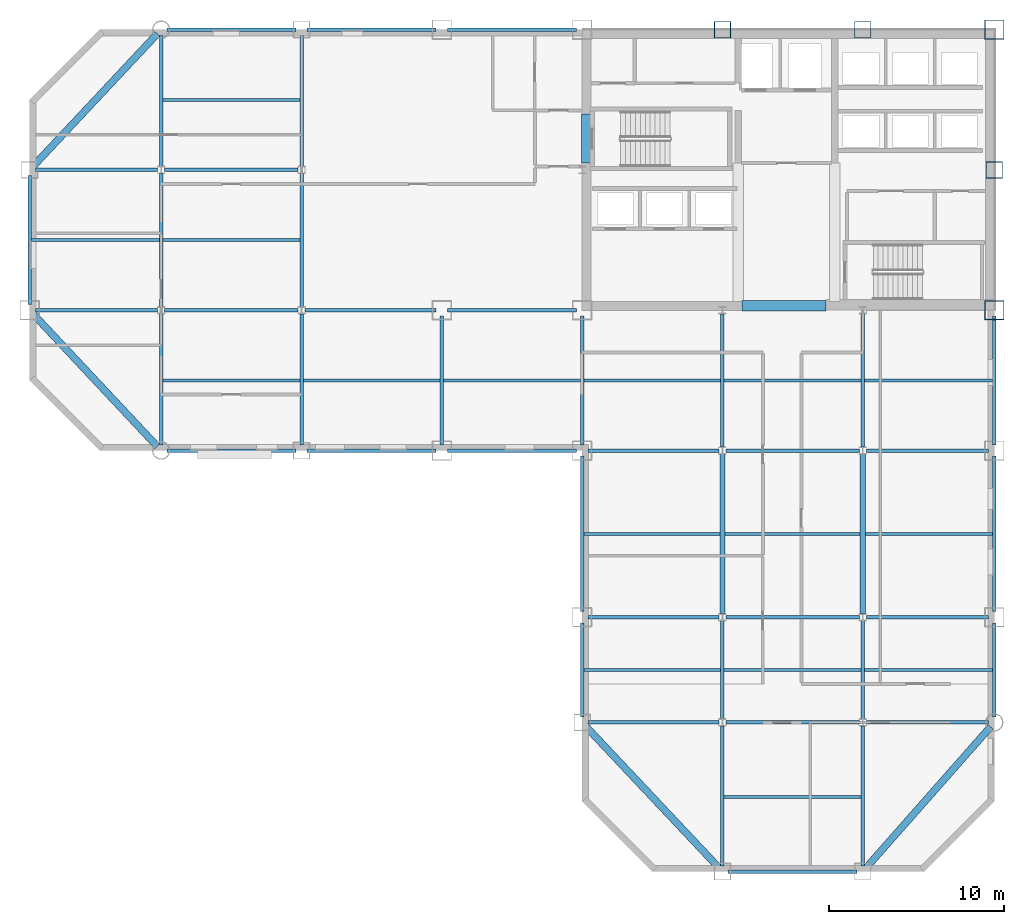
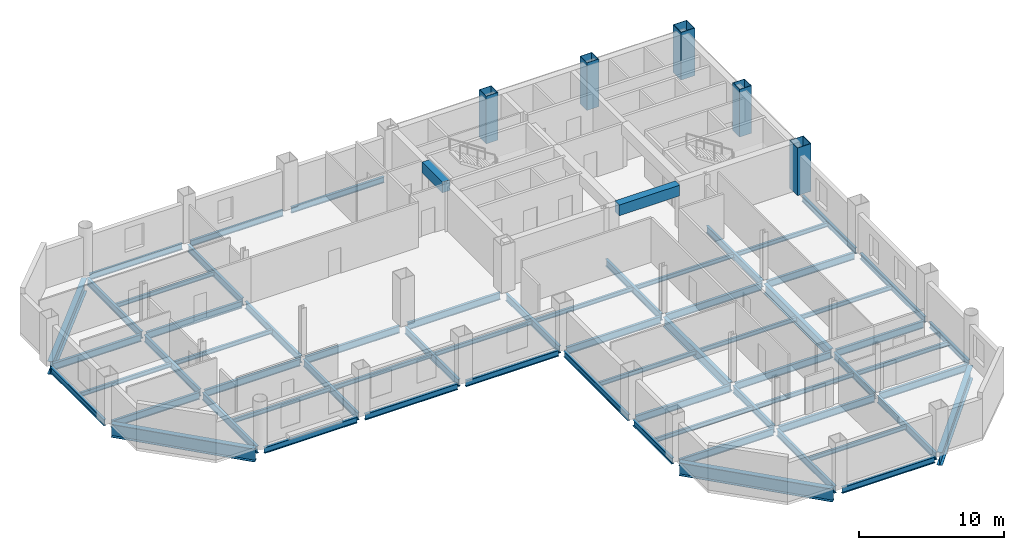
# One storey, part 4 of 9: 66 beams, 5 columns.
"""IFC4 building model written with IfcOpenShell, lengths in metres."""

from ifc_helpers import new_model, si_unit, direction, frame, origin, origin_2d, place, context, subcontext, project, spatial, rectangle, hollow_rectangle, i_section, extrude, material, material_profile, profile_set, type_object, element, save


model = new_model("IFC4")

# Units and contexts
model_context = context("Model", 3, precision=1e-05, world=origin(), true_north=direction((0.0, 1.0)))
body_context = subcontext(model_context, "Body", "Model", "MODEL_VIEW")
ifc_project = project(units=[si_unit("LENGTHUNIT", "METRE"), si_unit("AREAUNIT", "SQUARE_METRE"), si_unit("VOLUMEUNIT", "CUBIC_METRE"), si_unit("PLANEANGLEUNIT", "RADIAN"), si_unit("MASSUNIT", "GRAM", prefix="KILO")], contexts=[model_context])

# Site, building, storey
site_placement = place(None, origin())
site = spatial("IfcSite", under=ifc_project, at=site_placement, CompositionType="ELEMENT")
building_placement = place(site_placement, origin())
building = spatial("IfcBuilding", under=site, at=building_placement, Name="Qianrong Seaharbour Tower", CompositionType="ELEMENT")
storey_placement = place(building_placement, frame((0.0, 0.0, 163.0)))
storey = spatial("IfcBuildingStorey", under=building, at=storey_placement, Name="L39", CompositionType="ELEMENT", Elevation=163.0)

# Columns
ifc_material_1 = material(Name="Structural steel SN490B", Category="steel")
ifc_material_profile_1 = material_profile(ifc_material_1, hollow_rectangle(XDim=1.10009765625, YDim=1.10009765625, WallThickness=0.0400390625, at=origin_2d()), Name="BOX1100x1100x40")
ifc_profile_set_1 = profile_set([ifc_material_profile_1], Name="Structural steel SN490B")
column_type_1 = type_object("IfcColumnType", Name="COL-CFT-1100", PredefinedType="COLUMN", material=ifc_profile_set_1)
for number, where, z_axis, x_axis, name in (
    (1, (64.0, 36.0, 0.0), (0.0, 0.0, 1.0), (1.0, 0.0, 0.0), "L39 Column MC-3 at G9/GF"),
    (2, (64.0, 52.0, 0.0), (0.0, 0.0, 1.0), (1.0, 0.0, 0.0), "L39 Column MC-3 at G9/GH"),
):
    element("IfcColumn", number, at=place(storey_placement, frame(where, z_axis=z_axis, x_axis=x_axis)), inside=storey, type_object=column_type_1, Name=name, PredefinedType="COLUMN", context=body_context, shape_type="SweptSolid", body=[
        extrude(hollow_rectangle(XDim=1.10009765625, YDim=1.10009765625, WallThickness=0.0400390625, at=origin_2d()), origin(), (0.0, 0.0, 1.0), 4.0),
    ])
ifc_material_profile_2 = material_profile(ifc_material_1, hollow_rectangle(XDim=0.949951171875, YDim=0.949951171875, WallThickness=0.035888671875, at=origin_2d()), Name="BOX950x950x36")
ifc_profile_set_2 = profile_set([ifc_material_profile_2], Name="Structural steel SN490B")
column_type_2 = type_object("IfcColumnType", Name="COL-PER-950", PredefinedType="COLUMN", material=ifc_profile_set_2)
for number, where, z_axis, x_axis, name in (
    (3, (48.5, 52.0, 0.0), (0.0, 0.0, 1.0), (1.0, 0.0, 0.0), "L39 Column PC-2 at G7/GH"),
    (4, (56.5, 52.0, 0.0), (0.0, 0.0, 1.0), (1.0, 0.0, 0.0), "L39 Column PC-2 at G8/GH"),
    (5, (64.0, 44.0, 0.0), (0.0, 0.0, 1.0), (1.0, 0.0, 0.0), "L39 Column PC-2 at G9/GG"),
):
    element("IfcColumn", number, at=place(storey_placement, frame(where, z_axis=z_axis, x_axis=x_axis)), inside=storey, type_object=column_type_2, Name=name, PredefinedType="COLUMN", context=body_context, shape_type="SweptSolid", body=[
        extrude(hollow_rectangle(XDim=0.949951171875, YDim=0.949951171875, WallThickness=0.035888671875, at=origin_2d()), origin(), (0.0, 0.0, 1.0), 4.0),
    ])

# Beams
ifc_material_profile_3 = material_profile(ifc_material_1, i_section(OverallWidth=0.199951171875, OverallDepth=0.60009765625, WebThickness=0.010986328125, FlangeThickness=0.01708984375, FilletRadius=0.02197265625, at=origin_2d()), Name="H600x200x11x17")
ifc_profile_set_3 = profile_set([ifc_material_profile_3], Name="Structural steel SN490B")
beam_type_1 = type_object("IfcBeamType", Name="BM-G-600", PredefinedType="BEAM", material=ifc_profile_set_3)
beam_1_placement = place(storey_placement, frame((40.820068359375, 12.5, -0.534912109375), z_axis=(1.0, 0.0, 0.0), x_axis=(0.0, 1.0, 0.0)))
element("IfcBeam", 6, at=beam_1_placement, inside=storey, type_object=beam_type_1, Name="L39 Primary Girder GC G6-G7", PredefinedType="BEAM", context=body_context, shape_type="SweptSolid", body=[
    extrude(i_section(OverallWidth=0.199951171875, OverallDepth=0.60009765625, WebThickness=0.010986328125, FlangeThickness=0.01708984375, FilletRadius=0.02197265625, at=origin_2d()), origin(), (0.0, 0.0, 1.0), 7.47998046875),
])
beam_2_placement = place(storey_placement, frame((48.699951171875, 12.5, -0.534912109375), z_axis=(1.0, 0.0, 0.0), x_axis=(0.0, 1.0, 0.0)))
element("IfcBeam", 7, at=beam_2_placement, inside=storey, type_object=beam_type_1, Name="L39 Primary Girder GC G7-G8", PredefinedType="BEAM", context=body_context, shape_type="SweptSolid", body=[
    extrude(i_section(OverallWidth=0.199951171875, OverallDepth=0.60009765625, WebThickness=0.010986328125, FlangeThickness=0.01708984375, FilletRadius=0.02197265625, at=origin_2d()), origin(), (0.0, 0.0, 1.0), 7.60009765625),
])
beam_3_placement = place(storey_placement, frame((56.699951171875, 12.5, -0.534912109375), z_axis=(1.0, 0.0, 0.0), x_axis=(0.0, 1.0, 0.0)))
element("IfcBeam", 8, at=beam_3_placement, inside=storey, type_object=beam_type_1, Name="L39 Primary Girder GC G8-G9", PredefinedType="BEAM", context=body_context, shape_type="SweptSolid", body=[
    extrude(i_section(OverallWidth=0.199951171875, OverallDepth=0.60009765625, WebThickness=0.010986328125, FlangeThickness=0.01708984375, FilletRadius=0.02197265625, at=origin_2d()), origin(), (0.0, 0.0, 1.0), 6.97998046875),
])
beam_4_placement = place(storey_placement, frame((40.820068359375, 18.5, -0.534912109375), z_axis=(1.0, 0.0, 0.0), x_axis=(0.0, 1.0, 0.0)))
element("IfcBeam", 9, at=beam_4_placement, inside=storey, type_object=beam_type_1, Name="L39 Primary Girder GD G6-G7", PredefinedType="BEAM", context=body_context, shape_type="SweptSolid", body=[
    extrude(i_section(OverallWidth=0.199951171875, OverallDepth=0.60009765625, WebThickness=0.010986328125, FlangeThickness=0.01708984375, FilletRadius=0.02197265625, at=origin_2d()), origin(), (0.0, 0.0, 1.0), 7.47998046875),
])
beam_5_placement = place(storey_placement, frame((48.699951171875, 18.5, -0.534912109375), z_axis=(1.0, 0.0, 0.0), x_axis=(0.0, 1.0, 0.0)))
element("IfcBeam", 10, at=beam_5_placement, inside=storey, type_object=beam_type_1, Name="L39 Primary Girder GD G7-G8", PredefinedType="BEAM", context=body_context, shape_type="SweptSolid", body=[
    extrude(i_section(OverallWidth=0.199951171875, OverallDepth=0.60009765625, WebThickness=0.010986328125, FlangeThickness=0.01708984375, FilletRadius=0.02197265625, at=origin_2d()), origin(), (0.0, 0.0, 1.0), 7.60009765625),
])
beam_6_placement = place(storey_placement, frame((56.699951171875, 18.5, -0.534912109375), z_axis=(1.0, 0.0, 0.0), x_axis=(0.0, 1.0, 0.0)))
element("IfcBeam", 11, at=beam_6_placement, inside=storey, type_object=beam_type_1, Name="L39 Primary Girder GD G8-G9", PredefinedType="BEAM", context=body_context, shape_type="SweptSolid", body=[
    extrude(i_section(OverallWidth=0.199951171875, OverallDepth=0.60009765625, WebThickness=0.010986328125, FlangeThickness=0.01708984375, FilletRadius=0.02197265625, at=origin_2d()), origin(), (0.0, 0.0, 1.0), 6.97998046875),
])
beam_7_placement = place(storey_placement, frame((40.820068359375, 28.0, -0.534912109375), z_axis=(1.0, 0.0, 0.0), x_axis=(0.0, 1.0, 0.0)))
element("IfcBeam", 12, at=beam_7_placement, inside=storey, type_object=beam_type_1, Name="L39 Primary Girder GE G6-G7", PredefinedType="BEAM", context=body_context, shape_type="SweptSolid", body=[
    extrude(i_section(OverallWidth=0.199951171875, OverallDepth=0.60009765625, WebThickness=0.010986328125, FlangeThickness=0.01708984375, FilletRadius=0.02197265625, at=origin_2d()), origin(), (0.0, 0.0, 1.0), 7.47998046875),
])
beam_8_placement = place(storey_placement, frame((48.699951171875, 28.0, -0.534912109375), z_axis=(1.0, 0.0, 0.0), x_axis=(0.0, 1.0, 0.0)))
element("IfcBeam", 13, at=beam_8_placement, inside=storey, type_object=beam_type_1, Name="L39 Primary Girder GE G7-G8", PredefinedType="BEAM", context=body_context, shape_type="SweptSolid", body=[
    extrude(i_section(OverallWidth=0.199951171875, OverallDepth=0.60009765625, WebThickness=0.010986328125, FlangeThickness=0.01708984375, FilletRadius=0.02197265625, at=origin_2d()), origin(), (0.0, 0.0, 1.0), 7.60009765625),
])
for number, where, z_axis, x_axis, name in (
    (14, (56.699951171875, 28.0, -0.534912109375), (1.0, 0.0, 0.0), (0.0, 1.0, 0.0), "L39 Primary Girder GE G8-G9"),
    (15, (9.320068359375, 36.0, -0.534912109375), (1.0, 0.0, 0.0), (0.0, 1.0, 0.0), "L39 Primary Girder GF G2-G3"),
):
    element("IfcBeam", number, at=place(storey_placement, frame(where, z_axis=z_axis, x_axis=x_axis)), inside=storey, type_object=beam_type_1, Name=name, PredefinedType="BEAM", context=body_context, shape_type="SweptSolid", body=[
        extrude(i_section(OverallWidth=0.199951171875, OverallDepth=0.60009765625, WebThickness=0.010986328125, FlangeThickness=0.01708984375, FilletRadius=0.02197265625, at=origin_2d()), origin(), (0.0, 0.0, 1.0), 6.97998046875),
    ])
beam_9_placement = place(storey_placement, frame((16.699951171875, 36.0, -0.534912109375), z_axis=(1.0, 0.0, 0.0), x_axis=(0.0, 1.0, 0.0)))
element("IfcBeam", 16, at=beam_9_placement, inside=storey, type_object=beam_type_1, Name="L39 Primary Girder GF G3-G4", PredefinedType="BEAM", context=body_context, shape_type="SweptSolid", body=[
    extrude(i_section(OverallWidth=0.199951171875, OverallDepth=0.60009765625, WebThickness=0.010986328125, FlangeThickness=0.01708984375, FilletRadius=0.02197265625, at=origin_2d()), origin(), (0.0, 0.0, 1.0), 7.60009765625),
])
beam_10_placement = place(storey_placement, frame((24.699951171875, 36.0, -0.534912109375), z_axis=(1.0, 0.0, 0.0), x_axis=(0.0, 1.0, 0.0)))
element("IfcBeam", 17, at=beam_10_placement, inside=storey, type_object=beam_type_1, Name="L39 Primary Girder GF G4-G5", PredefinedType="BEAM", context=body_context, shape_type="SweptSolid", body=[
    extrude(i_section(OverallWidth=0.199951171875, OverallDepth=0.60009765625, WebThickness=0.010986328125, FlangeThickness=0.01708984375, FilletRadius=0.02197265625, at=origin_2d()), origin(), (0.0, 0.0, 1.0), 7.47998046875),
])
beam_11_placement = place(storey_placement, frame((32.820068359375, 36.0, -0.534912109375), z_axis=(1.0, 0.0, 0.0), x_axis=(0.0, 1.0, 0.0)))
element("IfcBeam", 18, at=beam_11_placement, inside=storey, type_object=beam_type_1, Name="L39 Primary Girder GF G5-G6", PredefinedType="BEAM", context=body_context, shape_type="SweptSolid", body=[
    extrude(i_section(OverallWidth=0.199951171875, OverallDepth=0.60009765625, WebThickness=0.010986328125, FlangeThickness=0.01708984375, FilletRadius=0.02197265625, at=origin_2d()), origin(), (0.0, 0.0, 1.0), 7.35986328125),
])
beam_12_placement = place(storey_placement, frame((9.320068359375, 44.0, -0.534912109375), z_axis=(1.0, 0.0, 0.0), x_axis=(0.0, 1.0, 0.0)))
element("IfcBeam", 19, at=beam_12_placement, inside=storey, type_object=beam_type_1, Name="L39 Primary Girder GG G2-G3", PredefinedType="BEAM", context=body_context, shape_type="SweptSolid", body=[
    extrude(i_section(OverallWidth=0.199951171875, OverallDepth=0.60009765625, WebThickness=0.010986328125, FlangeThickness=0.01708984375, FilletRadius=0.02197265625, at=origin_2d()), origin(), (0.0, 0.0, 1.0), 6.97998046875),
])
beam_13_placement = place(storey_placement, frame((16.699951171875, 44.0, -0.534912109375), z_axis=(1.0, 0.0, 0.0), x_axis=(0.0, 1.0, 0.0)))
element("IfcBeam", 20, at=beam_13_placement, inside=storey, type_object=beam_type_1, Name="L39 Primary Girder GG G3-G4", PredefinedType="BEAM", context=body_context, shape_type="SweptSolid", body=[
    extrude(i_section(OverallWidth=0.199951171875, OverallDepth=0.60009765625, WebThickness=0.010986328125, FlangeThickness=0.01708984375, FilletRadius=0.02197265625, at=origin_2d()), origin(), (0.0, 0.0, 1.0), 7.60009765625),
])
beam_14_placement = place(storey_placement, frame((16.5, 28.320068359375, -0.534912109375), z_axis=(0.0, 1.0, 0.0), x_axis=(-1.0, 0.0, 0.0)))
element("IfcBeam", 21, at=beam_14_placement, inside=storey, type_object=beam_type_1, Name="L39 Primary Girder G3 GE-GF", PredefinedType="BEAM", context=body_context, shape_type="SweptSolid", body=[
    extrude(i_section(OverallWidth=0.199951171875, OverallDepth=0.60009765625, WebThickness=0.010986328125, FlangeThickness=0.01708984375, FilletRadius=0.02197265625, at=origin_2d()), origin(), (0.0, 0.0, 1.0), 7.47998046875),
])
beam_15_placement = place(storey_placement, frame((16.5, 36.199951171875, -0.534912109375), z_axis=(0.0, 1.0, 0.0), x_axis=(-1.0, 0.0, 0.0)))
element("IfcBeam", 22, at=beam_15_placement, inside=storey, type_object=beam_type_1, Name="L39 Primary Girder G3 GF-GG", PredefinedType="BEAM", context=body_context, shape_type="SweptSolid", body=[
    extrude(i_section(OverallWidth=0.199951171875, OverallDepth=0.60009765625, WebThickness=0.010986328125, FlangeThickness=0.01708984375, FilletRadius=0.02197265625, at=origin_2d()), origin(), (0.0, 0.0, 1.0), 7.60009765625),
])
for number, where, z_axis, x_axis, name in (
    (23, (16.5, 44.199951171875, -0.534912109375), (0.0, 1.0, 0.0), (-1.0, 0.0, 0.0), "L39 Primary Girder G3 GG-GH"),
    (24, (24.5, 28.320068359375, -0.534912109375), (0.0, 1.0, 0.0), (-1.0, 0.0, 0.0), "L39 Primary Girder G4 GE-GF"),
):
    element("IfcBeam", number, at=place(storey_placement, frame(where, z_axis=z_axis, x_axis=x_axis)), inside=storey, type_object=beam_type_1, Name=name, PredefinedType="BEAM", context=body_context, shape_type="SweptSolid", body=[
        extrude(i_section(OverallWidth=0.199951171875, OverallDepth=0.60009765625, WebThickness=0.010986328125, FlangeThickness=0.01708984375, FilletRadius=0.02197265625, at=origin_2d()), origin(), (0.0, 0.0, 1.0), 7.47998046875),
    ])
beam_16_placement = place(storey_placement, frame((24.5, 36.199951171875, -0.534912109375), z_axis=(0.0, 1.0, 0.0), x_axis=(-1.0, 0.0, 0.0)))
element("IfcBeam", 25, at=beam_16_placement, inside=storey, type_object=beam_type_1, Name="L39 Primary Girder G4 GF-GG", PredefinedType="BEAM", context=body_context, shape_type="SweptSolid", body=[
    extrude(i_section(OverallWidth=0.199951171875, OverallDepth=0.60009765625, WebThickness=0.010986328125, FlangeThickness=0.01708984375, FilletRadius=0.02197265625, at=origin_2d()), origin(), (0.0, 0.0, 1.0), 7.60009765625),
])
beam_17_placement = place(storey_placement, frame((24.5, 44.199951171875, -0.534912109375), z_axis=(0.0, 1.0, 0.0), x_axis=(-1.0, 0.0, 0.0)))
element("IfcBeam", 26, at=beam_17_placement, inside=storey, type_object=beam_type_1, Name="L39 Primary Girder G4 GG-GH", PredefinedType="BEAM", context=body_context, shape_type="SweptSolid", body=[
    extrude(i_section(OverallWidth=0.199951171875, OverallDepth=0.60009765625, WebThickness=0.010986328125, FlangeThickness=0.01708984375, FilletRadius=0.02197265625, at=origin_2d()), origin(), (0.0, 0.0, 1.0), 7.47998046875),
])
for number, where, z_axis, x_axis, name in (
    (27, (32.5, 28.320068359375, -0.534912109375), (0.0, 1.0, 0.0), (-1.0, 0.0, 0.0), "L39 Primary Girder G5 GE-GF"),
    (28, (40.5, 28.320068359375, -0.534912109375), (0.0, 1.0, 0.0), (-1.0, 0.0, 0.0), "L39 Primary Girder G6 GE-GF"),
):
    element("IfcBeam", number, at=place(storey_placement, frame(where, z_axis=z_axis, x_axis=x_axis)), inside=storey, type_object=beam_type_1, Name=name, PredefinedType="BEAM", context=body_context, shape_type="SweptSolid", body=[
        extrude(i_section(OverallWidth=0.199951171875, OverallDepth=0.60009765625, WebThickness=0.010986328125, FlangeThickness=0.01708984375, FilletRadius=0.02197265625, at=origin_2d()), origin(), (0.0, 0.0, 1.0), 7.35986328125),
    ])
beam_18_placement = place(storey_placement, frame((48.5, 4.320068359375, -0.534912109375), z_axis=(0.0, 1.0, 0.0), x_axis=(-1.0, 0.0, 0.0)))
element("IfcBeam", 29, at=beam_18_placement, inside=storey, type_object=beam_type_1, Name="L39 Primary Girder G7 GB-GC", PredefinedType="BEAM", context=body_context, shape_type="SweptSolid", body=[
    extrude(i_section(OverallWidth=0.199951171875, OverallDepth=0.60009765625, WebThickness=0.010986328125, FlangeThickness=0.01708984375, FilletRadius=0.02197265625, at=origin_2d()), origin(), (0.0, 0.0, 1.0), 7.97998046875),
])
beam_19_placement = place(storey_placement, frame((48.5, 12.699951171875, -0.534912109375), z_axis=(0.0, 1.0, 0.0), x_axis=(-1.0, 0.0, 0.0)))
element("IfcBeam", 30, at=beam_19_placement, inside=storey, type_object=beam_type_1, Name="L39 Primary Girder G7 GC-GD", PredefinedType="BEAM", context=body_context, shape_type="SweptSolid", body=[
    extrude(i_section(OverallWidth=0.199951171875, OverallDepth=0.60009765625, WebThickness=0.010986328125, FlangeThickness=0.01708984375, FilletRadius=0.02197265625, at=origin_2d()), origin(), (0.0, 0.0, 1.0), 5.60009765625),
])
beam_20_placement = place(storey_placement, frame((48.5, 28.199951171875, -0.534912109375), z_axis=(0.0, 1.0, 0.0), x_axis=(-1.0, 0.0, 0.0)))
element("IfcBeam", 31, at=beam_20_placement, inside=storey, type_object=beam_type_1, Name="L39 Primary Girder G7 GE-GF", PredefinedType="BEAM", context=body_context, shape_type="SweptSolid", body=[
    extrude(i_section(OverallWidth=0.199951171875, OverallDepth=0.60009765625, WebThickness=0.010986328125, FlangeThickness=0.01708984375, FilletRadius=0.02197265625, at=origin_2d()), origin(), (0.0, 0.0, 1.0), 7.60009765625),
])
beam_21_placement = place(storey_placement, frame((56.5, 4.320068359375, -0.534912109375), z_axis=(0.0, 1.0, 0.0), x_axis=(-1.0, 0.0, 0.0)))
element("IfcBeam", 32, at=beam_21_placement, inside=storey, type_object=beam_type_1, Name="L39 Primary Girder G8 GB-GC", PredefinedType="BEAM", context=body_context, shape_type="SweptSolid", body=[
    extrude(i_section(OverallWidth=0.199951171875, OverallDepth=0.60009765625, WebThickness=0.010986328125, FlangeThickness=0.01708984375, FilletRadius=0.02197265625, at=origin_2d()), origin(), (0.0, 0.0, 1.0), 7.97998046875),
])
beam_22_placement = place(storey_placement, frame((56.5, 12.699951171875, -0.534912109375), z_axis=(0.0, 1.0, 0.0), x_axis=(-1.0, 0.0, 0.0)))
element("IfcBeam", 33, at=beam_22_placement, inside=storey, type_object=beam_type_1, Name="L39 Primary Girder G8 GC-GD", PredefinedType="BEAM", context=body_context, shape_type="SweptSolid", body=[
    extrude(i_section(OverallWidth=0.199951171875, OverallDepth=0.60009765625, WebThickness=0.010986328125, FlangeThickness=0.01708984375, FilletRadius=0.02197265625, at=origin_2d()), origin(), (0.0, 0.0, 1.0), 5.60009765625),
])
beam_23_placement = place(storey_placement, frame((56.5, 28.199951171875, -0.534912109375), z_axis=(0.0, 1.0, 0.0), x_axis=(-1.0, 0.0, 0.0)))
element("IfcBeam", 34, at=beam_23_placement, inside=storey, type_object=beam_type_1, Name="L39 Primary Girder G8 GE-GF", PredefinedType="BEAM", context=body_context, shape_type="SweptSolid", body=[
    extrude(i_section(OverallWidth=0.199951171875, OverallDepth=0.60009765625, WebThickness=0.010986328125, FlangeThickness=0.01708984375, FilletRadius=0.02197265625, at=origin_2d()), origin(), (0.0, 0.0, 1.0), 7.60009765625),
])
ifc_material_profile_4 = material_profile(ifc_material_1, i_section(OverallWidth=0.300048828125, OverallDepth=0.800048828125, WebThickness=0.013916015625, FlangeThickness=0.02587890625, FilletRadius=0.028076171875, at=origin_2d()), Name="H800x300x14x26")
ifc_profile_set_4 = profile_set([ifc_material_profile_4], Name="Structural steel SN490B")
beam_type_2 = type_object("IfcBeamType", Name="BM-G-800", PredefinedType="BEAM", material=ifc_profile_set_4)
for number, where, z_axis, x_axis, name in (
    (35, (48.5, 18.699951171875, -0.635009765625), (0.0, 1.0, 0.0), (-1.0, 0.0, 0.0), "L39 Primary Girder G7 GD-GE"),
    (36, (56.5, 18.699951171875, -0.635009765625), (0.0, 1.0, 0.0), (-1.0, 0.0, 0.0), "L39 Primary Girder G8 GD-GE"),
):
    element("IfcBeam", number, at=place(storey_placement, frame(where, z_axis=z_axis, x_axis=x_axis)), inside=storey, type_object=beam_type_2, Name=name, PredefinedType="BEAM", context=body_context, shape_type="SweptSolid", body=[
        extrude(i_section(OverallWidth=0.300048828125, OverallDepth=0.800048828125, WebThickness=0.013916015625, FlangeThickness=0.02587890625, FilletRadius=0.028076171875, at=origin_2d()), origin(), (0.0, 0.0, 1.0), 9.10009765625),
    ])
ifc_material_2 = material(Name="Structural steel SN400B", Category="steel")
ifc_material_profile_5 = material_profile(ifc_material_2, i_section(OverallWidth=0.175048828125, OverallDepth=0.35009765625, WebThickness=0.007080078125, FlangeThickness=0.010986328125, FilletRadius=0.013916015625, at=origin_2d()), Name="H350x175x7x11")
ifc_profile_set_5 = profile_set([ifc_material_profile_5], Name="Structural steel SN400B")
beam_type_3 = type_object("IfcBeamType", Name="BM-J-350", PredefinedType="JOIST", material=ifc_profile_set_5)
beam_24_placement = place(storey_placement, frame((9.10009765625, 40.0, -0.409912109375), z_axis=(1.0, 0.0, 0.0), x_axis=(0.0, 1.0, 0.0)))
element("IfcBeam", 37, at=beam_24_placement, inside=storey, type_object=beam_type_3, Name="L39 Composite Floor Joist G2-G3/GF-GG", PredefinedType="JOIST", context=body_context, shape_type="SweptSolid", body=[
    extrude(i_section(OverallWidth=0.175048828125, OverallDepth=0.35009765625, WebThickness=0.007080078125, FlangeThickness=0.010986328125, FilletRadius=0.013916015625, at=origin_2d()), origin(), (0.0, 0.0, 1.0), 7.2998046875),
])
for number, where, z_axis, x_axis, name in (
    (38, (16.60009765625, 32.0, -0.409912109375), (1.0, 0.0, 0.0), (0.0, 1.0, 0.0), "L39 Composite Floor Joist G3-G4/GE-GF"),
    (39, (16.60009765625, 40.0, -0.409912109375), (1.0, 0.0, 0.0), (0.0, 1.0, 0.0), "L39 Composite Floor Joist G3-G4/GF-GG"),
    (40, (16.60009765625, 48.0, -0.409912109375), (1.0, 0.0, 0.0), (0.0, 1.0, 0.0), "L39 Composite Floor Joist G3-G4/GG-GH"),
    (41, (24.60009765625, 32.0, -0.409912109375), (1.0, 0.0, 0.0), (0.0, 1.0, 0.0), "L39 Composite Floor Joist G4-G5/GE-GF"),
    (42, (32.60009765625, 32.0, -0.409912109375), (1.0, 0.0, 0.0), (0.0, 1.0, 0.0), "L39 Composite Floor Joist G5-G6/GE-GF"),
    (43, (40.60009765625, 15.5, -0.409912109375), (1.0, 0.0, 0.0), (0.0, 1.0, 0.0), "L39 Composite Floor Joist G6-G7/GC-GD"),
):
    element("IfcBeam", number, at=place(storey_placement, frame(where, z_axis=z_axis, x_axis=x_axis)), inside=storey, type_object=beam_type_3, Name=name, PredefinedType="JOIST", context=body_context, shape_type="SweptSolid", body=[
        extrude(i_section(OverallWidth=0.175048828125, OverallDepth=0.35009765625, WebThickness=0.007080078125, FlangeThickness=0.010986328125, FilletRadius=0.013916015625, at=origin_2d()), origin(), (0.0, 0.0, 1.0), 7.7998046875),
    ])
beam_25_placement = place(storey_placement, frame((40.60009765625, 23.25, -0.409912109375), z_axis=(1.0, 0.0, 0.0), x_axis=(0.0, 1.0, 0.0)))
element("IfcBeam", 44, at=beam_25_placement, inside=storey, type_object=beam_type_3, Name="L39 Composite Floor Joist G6-G7/GD-GE", PredefinedType="JOIST", context=body_context, shape_type="SweptSolid", body=[
    extrude(i_section(OverallWidth=0.175048828125, OverallDepth=0.35009765625, WebThickness=0.007080078125, FlangeThickness=0.010986328125, FilletRadius=0.013916015625, at=origin_2d()), origin(), (0.0, 0.0, 1.0), 7.75),
])
for number, where, z_axis, x_axis, name in (
    (45, (40.60009765625, 32.0, -0.409912109375), (1.0, 0.0, 0.0), (0.0, 1.0, 0.0), "L39 Composite Floor Joist G6-G7/GE-GF"),
    (46, (48.60009765625, 8.25, -0.409912109375), (1.0, 0.0, 0.0), (0.0, 1.0, 0.0), "L39 Composite Floor Joist G7-G8/GB-GC"),
    (47, (48.60009765625, 15.5, -0.409912109375), (1.0, 0.0, 0.0), (0.0, 1.0, 0.0), "L39 Composite Floor Joist G7-G8/GC-GD"),
):
    element("IfcBeam", number, at=place(storey_placement, frame(where, z_axis=z_axis, x_axis=x_axis)), inside=storey, type_object=beam_type_3, Name=name, PredefinedType="JOIST", context=body_context, shape_type="SweptSolid", body=[
        extrude(i_section(OverallWidth=0.175048828125, OverallDepth=0.35009765625, WebThickness=0.007080078125, FlangeThickness=0.010986328125, FilletRadius=0.013916015625, at=origin_2d()), origin(), (0.0, 0.0, 1.0), 7.7998046875),
    ])
beam_26_placement = place(storey_placement, frame((48.64990234375, 23.25, -0.409912109375), z_axis=(1.0, 0.0, 0.0), x_axis=(0.0, 1.0, 0.0)))
element("IfcBeam", 48, at=beam_26_placement, inside=storey, type_object=beam_type_3, Name="L39 Composite Floor Joist G7-G8/GD-GE", PredefinedType="JOIST", context=body_context, shape_type="SweptSolid", body=[
    extrude(i_section(OverallWidth=0.175048828125, OverallDepth=0.35009765625, WebThickness=0.007080078125, FlangeThickness=0.010986328125, FilletRadius=0.013916015625, at=origin_2d()), origin(), (0.0, 0.0, 1.0), 7.7001953125),
])
beam_27_placement = place(storey_placement, frame((48.60009765625, 32.0, -0.409912109375), z_axis=(1.0, 0.0, 0.0), x_axis=(0.0, 1.0, 0.0)))
element("IfcBeam", 49, at=beam_27_placement, inside=storey, type_object=beam_type_3, Name="L39 Composite Floor Joist G7-G8/GE-GF", PredefinedType="JOIST", context=body_context, shape_type="SweptSolid", body=[
    extrude(i_section(OverallWidth=0.175048828125, OverallDepth=0.35009765625, WebThickness=0.007080078125, FlangeThickness=0.010986328125, FilletRadius=0.013916015625, at=origin_2d()), origin(), (0.0, 0.0, 1.0), 7.7998046875),
])
beam_28_placement = place(storey_placement, frame((56.60009765625, 15.5, -0.409912109375), z_axis=(1.0, 0.0, 0.0), x_axis=(0.0, 1.0, 0.0)))
element("IfcBeam", 50, at=beam_28_placement, inside=storey, type_object=beam_type_3, Name="L39 Composite Floor Joist G8-G9/GC-GD", PredefinedType="JOIST", context=body_context, shape_type="SweptSolid", body=[
    extrude(i_section(OverallWidth=0.175048828125, OverallDepth=0.35009765625, WebThickness=0.007080078125, FlangeThickness=0.010986328125, FilletRadius=0.013916015625, at=origin_2d()), origin(), (0.0, 0.0, 1.0), 7.2998046875),
])
beam_29_placement = place(storey_placement, frame((56.64990234375, 23.25, -0.409912109375), z_axis=(1.0, 0.0, 0.0), x_axis=(0.0, 1.0, 0.0)))
element("IfcBeam", 51, at=beam_29_placement, inside=storey, type_object=beam_type_3, Name="L39 Composite Floor Joist G8-G9/GD-GE", PredefinedType="JOIST", context=body_context, shape_type="SweptSolid", body=[
    extrude(i_section(OverallWidth=0.175048828125, OverallDepth=0.35009765625, WebThickness=0.007080078125, FlangeThickness=0.010986328125, FilletRadius=0.013916015625, at=origin_2d()), origin(), (0.0, 0.0, 1.0), 7.25),
])
beam_30_placement = place(storey_placement, frame((56.60009765625, 32.0, -0.409912109375), z_axis=(1.0, 0.0, 0.0), x_axis=(0.0, 1.0, 0.0)))
element("IfcBeam", 52, at=beam_30_placement, inside=storey, type_object=beam_type_3, Name="L39 Composite Floor Joist G8-G9/GE-GF", PredefinedType="JOIST", context=body_context, shape_type="SweptSolid", body=[
    extrude(i_section(OverallWidth=0.175048828125, OverallDepth=0.35009765625, WebThickness=0.007080078125, FlangeThickness=0.010986328125, FilletRadius=0.013916015625, at=origin_2d()), origin(), (0.0, 0.0, 1.0), 7.2998046875),
])
ifc_material_3 = material(Name="Concrete C70/85", Category="concrete")
ifc_material_profile_6 = material_profile(ifc_material_3, rectangle(XDim=0.60009765625, YDim=0.89990234375, at=origin_2d()), Name="RC600x900")
ifc_profile_set_6 = profile_set([ifc_material_profile_6], Name="Concrete C70/85")
beam_type_4 = type_object("IfcBeamType", Name="BM-LINTEL-900", PredefinedType="LINTEL", material=ifc_profile_set_6)
beam_31_placement = place(storey_placement, frame((40.75, 44.39990234375, 3.31494140625), z_axis=(0.0, 1.0, 0.0), x_axis=(-1.0, 0.0, 0.0)))
element("IfcBeam", 53, at=beam_31_placement, inside=storey, type_object=beam_type_4, Name="L39 Core Coupling Lintel Beam West", PredefinedType="LINTEL", context=body_context, shape_type="SweptSolid", body=[
    extrude(rectangle(XDim=0.60009765625, YDim=0.89990234375, at=origin_2d()), origin(), (0.0, 0.0, 1.0), 2.800048828125),
])
beam_32_placement = place(storey_placement, frame((49.60009765625, 36.25, 3.31494140625), z_axis=(1.0, 0.0, 0.0), x_axis=(0.0, 1.0, 0.0)))
element("IfcBeam", 54, at=beam_32_placement, inside=storey, type_object=beam_type_4, Name="L39 Core Coupling Lintel Beam CBC", PredefinedType="LINTEL", context=body_context, shape_type="SweptSolid", body=[
    extrude(rectangle(XDim=0.60009765625, YDim=0.89990234375, at=origin_2d()), origin(), (0.0, 0.0, 1.0), 4.7998046875),
])
ifc_material_profile_7 = material_profile(ifc_material_1, i_section(OverallWidth=0.199951171875, OverallDepth=0.5, WebThickness=0.010009765625, FlangeThickness=0.01611328125, FilletRadius=0.02001953125, at=origin_2d()), Name="H500x200x10x16")
ifc_profile_set_7 = profile_set([ifc_material_profile_7], Name="Structural steel SN490B")
beam_type_5 = type_object("IfcBeamType", Name="BM-SP-500", PredefinedType="SPANDREL", material=ifc_profile_set_7)
for number, where, z_axis, x_axis, name in (
    (55, (48.820068359375, 4.0, -0.485107421875), (1.0, 0.0, 0.0), (0.0, 1.0, 0.0), "L39 Spandrel Girder GB G7-G8"),
    (56, (16.820068359375, 28.0, -0.485107421875), (1.0, 0.0, 0.0), (0.0, 1.0, 0.0), "L39 Spandrel Girder GE G3-G4"),
    (57, (24.820068359375, 28.0, -0.485107421875), (1.0, 0.0, 0.0), (0.0, 1.0, 0.0), "L39 Spandrel Girder GE G4-G5"),
    (58, (32.820068359375, 28.0, -0.485107421875), (1.0, 0.0, 0.0), (0.0, 1.0, 0.0), "L39 Spandrel Girder GE G5-G6"),
    (59, (16.820068359375, 52.0, -0.485107421875), (1.0, 0.0, 0.0), (0.0, 1.0, 0.0), "L39 Spandrel Girder GH G3-G4"),
    (60, (24.820068359375, 52.0, -0.485107421875), (1.0, 0.0, 0.0), (0.0, 1.0, 0.0), "L39 Spandrel Girder GH G4-G5"),
    (61, (32.820068359375, 52.0, -0.485107421875), (1.0, 0.0, 0.0), (0.0, 1.0, 0.0), "L39 Spandrel Girder GH G5-G6"),
    (62, (9.0, 36.320068359375, -0.485107421875), (0.0, 1.0, 0.0), (-1.0, 0.0, 0.0), "L39 Spandrel Girder G2 GF-GG"),
):
    element("IfcBeam", number, at=place(storey_placement, frame(where, z_axis=z_axis, x_axis=x_axis)), inside=storey, type_object=beam_type_5, Name=name, PredefinedType="SPANDREL", context=body_context, shape_type="SweptSolid", body=[
        extrude(i_section(OverallWidth=0.199951171875, OverallDepth=0.5, WebThickness=0.010009765625, FlangeThickness=0.01611328125, FilletRadius=0.02001953125, at=origin_2d()), origin(), (0.0, 0.0, 1.0), 7.35986328125),
    ])
beam_33_placement = place(storey_placement, frame((40.5, 12.820068359375, -0.485107421875), z_axis=(0.0, 1.0, 0.0), x_axis=(-1.0, 0.0, 0.0)))
element("IfcBeam", 63, at=beam_33_placement, inside=storey, type_object=beam_type_5, Name="L39 Spandrel Girder G6 GC-GD", PredefinedType="SPANDREL", context=body_context, shape_type="SweptSolid", body=[
    extrude(i_section(OverallWidth=0.199951171875, OverallDepth=0.5, WebThickness=0.010009765625, FlangeThickness=0.01611328125, FilletRadius=0.02001953125, at=origin_2d()), origin(), (0.0, 0.0, 1.0), 5.35986328125),
])
beam_34_placement = place(storey_placement, frame((40.5, 18.820068359375, -0.485107421875), z_axis=(0.0, 1.0, 0.0), x_axis=(-1.0, 0.0, 0.0)))
element("IfcBeam", 64, at=beam_34_placement, inside=storey, type_object=beam_type_5, Name="L39 Spandrel Girder G6 GD-GE", PredefinedType="SPANDREL", context=body_context, shape_type="SweptSolid", body=[
    extrude(i_section(OverallWidth=0.199951171875, OverallDepth=0.5, WebThickness=0.010009765625, FlangeThickness=0.01611328125, FilletRadius=0.02001953125, at=origin_2d()), origin(), (0.0, 0.0, 1.0), 8.85986328125),
])
beam_35_placement = place(storey_placement, frame((64.0, 12.820068359375, -0.485107421875), z_axis=(0.0, 1.0, 0.0), x_axis=(-1.0, 0.0, 0.0)))
element("IfcBeam", 65, at=beam_35_placement, inside=storey, type_object=beam_type_5, Name="L39 Spandrel Girder G9 GC-GD", PredefinedType="SPANDREL", context=body_context, shape_type="SweptSolid", body=[
    extrude(i_section(OverallWidth=0.199951171875, OverallDepth=0.5, WebThickness=0.010009765625, FlangeThickness=0.01611328125, FilletRadius=0.02001953125, at=origin_2d()), origin(), (0.0, 0.0, 1.0), 5.35986328125),
])
beam_36_placement = place(storey_placement, frame((64.0, 18.820068359375, -0.485107421875), z_axis=(0.0, 1.0, 0.0), x_axis=(-1.0, 0.0, 0.0)))
element("IfcBeam", 66, at=beam_36_placement, inside=storey, type_object=beam_type_5, Name="L39 Spandrel Girder G9 GD-GE", PredefinedType="SPANDREL", context=body_context, shape_type="SweptSolid", body=[
    extrude(i_section(OverallWidth=0.199951171875, OverallDepth=0.5, WebThickness=0.010009765625, FlangeThickness=0.01611328125, FilletRadius=0.02001953125, at=origin_2d()), origin(), (0.0, 0.0, 1.0), 8.85986328125),
])
beam_37_placement = place(storey_placement, frame((64.0, 28.320068359375, -0.485107421875), z_axis=(0.0, 1.0, 0.0), x_axis=(-1.0, 0.0, 0.0)))
element("IfcBeam", 67, at=beam_37_placement, inside=storey, type_object=beam_type_5, Name="L39 Spandrel Girder G9 GE-GF", PredefinedType="SPANDREL", context=body_context, shape_type="SweptSolid", body=[
    extrude(i_section(OverallWidth=0.199951171875, OverallDepth=0.5, WebThickness=0.010009765625, FlangeThickness=0.01611328125, FilletRadius=0.02001953125, at=origin_2d()), origin(), (0.0, 0.0, 1.0), 7.35986328125),
])
ifc_material_profile_8 = material_profile(ifc_material_1, i_section(OverallWidth=0.39990234375, OverallDepth=1.10009765625, WebThickness=0.02001953125, FlangeThickness=0.035888671875, at=origin_2d()), Name="BH1100x400x20x36")
ifc_profile_set_8 = profile_set([ifc_material_profile_8], Name="Structural steel SN490B")
beam_type_6 = type_object("IfcBeamType", Name="BM-TG-1100", PredefinedType="BEAM", material=ifc_profile_set_8)
for number, where, z_axis, x_axis, name in (
    (68, (16.28125, 28.2333984375, -0.784912109375), (-0.683947420573, 0.729531305628, 0.0), (-0.729531305628, -0.683947420573, 0.0), "L39 Chamfer Corner Spandrel Girder G2/GE"),
    (69, (16.28125, 51.7666015625, -0.784912109375), (-0.683947420573, -0.729531305628, 0.0), (0.729531305628, -0.683947420573, 0.0), "L39 Chamfer Corner Spandrel Girder G2/GH"),
):
    element("IfcBeam", number, at=place(storey_placement, frame(where, z_axis=z_axis, x_axis=x_axis)), inside=storey, type_object=beam_type_6, Name=name, PredefinedType="BEAM", context=body_context, shape_type="SweptSolid", body=[
        extrude(i_section(OverallWidth=0.39990234375, OverallDepth=1.10009765625, WebThickness=0.02001953125, FlangeThickness=0.035888671875, at=origin_2d()), origin(), (0.0, 0.0, 1.0), 10.326171875),
    ])
beam_38_placement = place(storey_placement, frame((48.28076171875, 4.23291015625, -0.784912109375), z_axis=(-0.685361938021, 0.728202591256, 0.0), x_axis=(-0.728202591256, -0.685361938021, 0.0)))
element("IfcBeam", 70, at=beam_38_placement, inside=storey, type_object=beam_type_6, Name="L39 Chamfer Corner Spandrel Girder G6/GB", PredefinedType="BEAM", context=body_context, shape_type="SweptSolid", body=[
    extrude(i_section(OverallWidth=0.39990234375, OverallDepth=1.10009765625, WebThickness=0.02001953125, FlangeThickness=0.035888671875, at=origin_2d()), origin(), (0.0, 0.0, 1.0), 11.032958984375),
])
beam_39_placement = place(storey_placement, frame((56.711669921875, 4.239990234375, -0.784912109375), z_axis=(0.661630696334, 0.749829861815, 0.0), x_axis=(-0.749829861815, 0.661630696334, 0.0)))
element("IfcBeam", 71, at=beam_39_placement, inside=storey, type_object=beam_type_6, Name="L39 Chamfer Corner Spandrel Girder G9/GB", PredefinedType="BEAM", context=body_context, shape_type="SweptSolid", body=[
    extrude(i_section(OverallWidth=0.39990234375, OverallDepth=1.10009765625, WebThickness=0.02001953125, FlangeThickness=0.035888671875, at=origin_2d()), origin(), (0.0, 0.0, 1.0), 10.69580078125),
])

save(model, "model.ifc")
